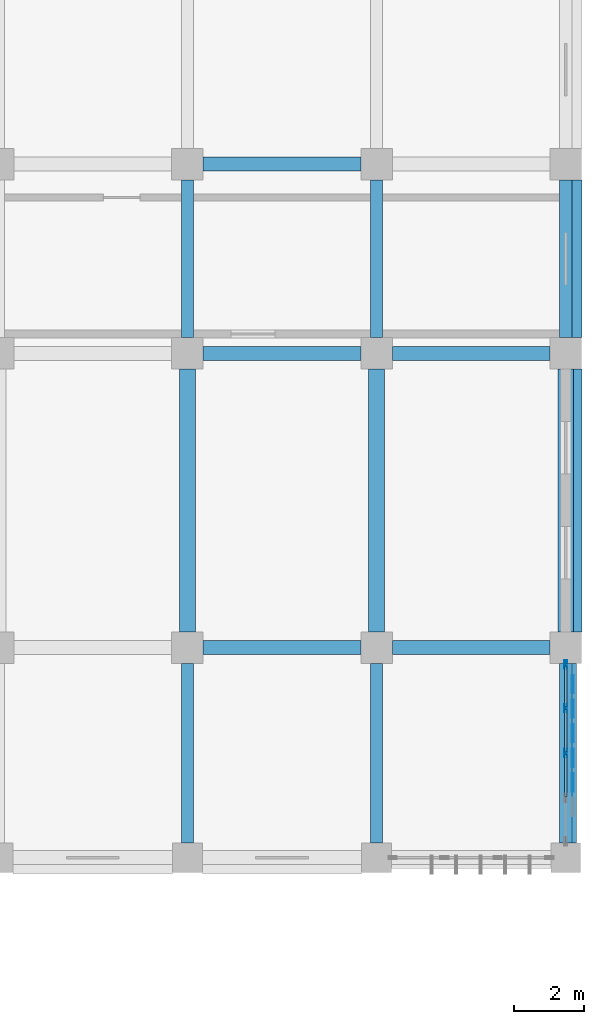
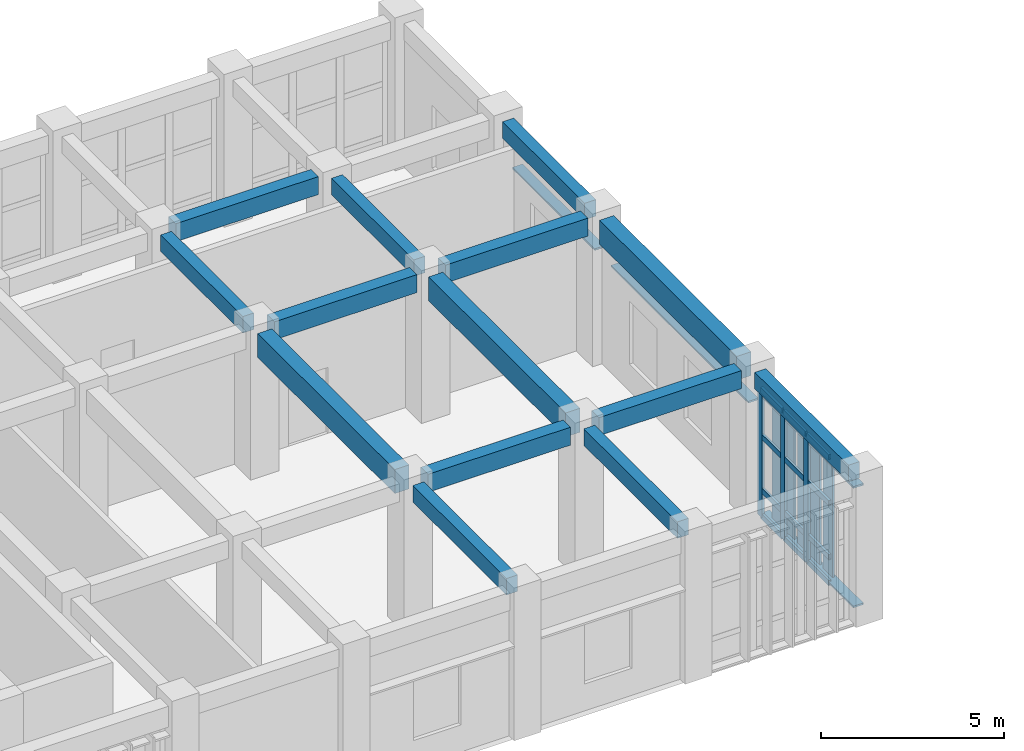
# One storey, part 65 of 106: 24 members, 14 beams, 1 element without a shape of its own.
"""IFC4 building model written with IfcOpenShell, lengths in metres."""

from ifc_helpers import new_model, si_unit, direction, frame, origin, origin_2d, place, context, subcontext, project, spatial, rectangle, hollow_rectangle, extrude, material, layer, layer_set, material_profile, profile_set, type_object, element, aggregate, save


model = new_model("IFC4")

# Units and contexts
model_context = context("Model", 3, precision=1e-05, world=origin(), true_north=direction((0.0, 1.0)))
body_context = subcontext(model_context, "Body", "Model", "MODEL_VIEW")
ifc_project = project(units=[si_unit("LENGTHUNIT", "METRE"), si_unit("AREAUNIT", "SQUARE_METRE"), si_unit("VOLUMEUNIT", "CUBIC_METRE"), si_unit("PLANEANGLEUNIT", "RADIAN"), si_unit("MASSUNIT", "GRAM", prefix="KILO")], contexts=[model_context])

# Site, building, storey
site_placement = place(None, origin())
site = spatial("IfcSite", under=ifc_project, at=site_placement, CompositionType="ELEMENT")
building_placement = place(site_placement, origin())
building = spatial("IfcBuilding", under=site, at=building_placement, Name="Krzemoval Escarpment Law Courts", CompositionType="ELEMENT")
storey_placement = place(building_placement, frame((0.0, 0.0, 5.10009765625)))
storey = spatial("IfcBuildingStorey", under=building, at=storey_placement, Name="L01", CompositionType="ELEMENT", Elevation=5.10009765625)

# Beams
ifc_material_1 = material(Name="Concrete C40/50", Category="concrete")
ifc_material_profile_1 = material_profile(ifc_material_1, rectangle(XDim=0.35009765625, YDim=0.550048828125, at=origin_2d()), Name="RCB 350x550")
ifc_profile_set_1 = profile_set([ifc_material_profile_1], Name="Concrete C40/50")
beam_type_1 = type_object("IfcBeamType", Name="BM-RC-350x550", PredefinedType="BEAM", material=ifc_profile_set_1)
beam_1_placement = place(storey_placement, frame((162.0, 94.02490234375, 4.544921875), z_axis=(0.0, 1.0, 0.0), x_axis=(-1.0, 0.0, 0.0)))
element("IfcBeam", 1, at=beam_1_placement, inside=storey, type_object=beam_type_1, Name="Beam FG-L01-1576", PredefinedType="BEAM", context=body_context, shape_type="SweptSolid", body=[
    extrude(rectangle(XDim=0.35009765625, YDim=0.550048828125, at=origin_2d()), origin(), (0.0, 0.0, 1.0), 5.125),
])
beam_2_placement = place(storey_placement, frame((162.0, 108.449951171875, 4.544921875), z_axis=(0.0, 1.0, 0.0), x_axis=(-1.0, 0.0, 0.0)))
element("IfcBeam", 2, at=beam_2_placement, inside=storey, type_object=beam_type_1, Name="Beam FG-L01-1578", PredefinedType="BEAM", context=body_context, shape_type="SweptSolid", body=[
    extrude(rectangle(XDim=0.35009765625, YDim=0.550048828125, at=origin_2d()), origin(), (0.0, 0.0, 1.0), 4.5),
])
beam_3_placement = place(storey_placement, frame((167.39990234375, 94.02490234375, 4.544921875), z_axis=(0.0, 1.0, 0.0), x_axis=(-1.0, 0.0, 0.0)))
element("IfcBeam", 3, at=beam_3_placement, inside=storey, type_object=beam_type_1, Name="Beam FG-L01-1584", PredefinedType="BEAM", context=body_context, shape_type="SweptSolid", body=[
    extrude(rectangle(XDim=0.35009765625, YDim=0.550048828125, at=origin_2d()), origin(), (0.0, 0.0, 1.0), 5.125),
])
beam_4_placement = place(storey_placement, frame((167.39990234375, 108.449951171875, 4.544921875), z_axis=(0.0, 1.0, 0.0), x_axis=(-1.0, 0.0, 0.0)))
element("IfcBeam", 4, at=beam_4_placement, inside=storey, type_object=beam_type_1, Name="Beam FG-L01-1586", PredefinedType="BEAM", context=body_context, shape_type="SweptSolid", body=[
    extrude(rectangle(XDim=0.35009765625, YDim=0.550048828125, at=origin_2d()), origin(), (0.0, 0.0, 1.0), 4.5),
])
beam_5_placement = place(storey_placement, frame((172.800048828125, 94.02490234375, 4.544921875), z_axis=(0.0, 1.0, 0.0), x_axis=(-1.0, 0.0, 0.0)))
element("IfcBeam", 5, at=beam_5_placement, inside=storey, type_object=beam_type_1, Name="Beam FG-L01-1592", PredefinedType="BEAM", context=body_context, shape_type="SweptSolid", body=[
    extrude(rectangle(XDim=0.35009765625, YDim=0.550048828125, at=origin_2d()), origin(), (0.0, 0.0, 1.0), 5.125),
])
beam_6_placement = place(storey_placement, frame((172.800048828125, 108.449951171875, 4.544921875), z_axis=(0.0, 1.0, 0.0), x_axis=(-1.0, 0.0, 0.0)))
element("IfcBeam", 6, at=beam_6_placement, inside=storey, type_object=beam_type_1, Name="Beam FG-L01-1594", PredefinedType="BEAM", context=body_context, shape_type="SweptSolid", body=[
    extrude(rectangle(XDim=0.35009765625, YDim=0.550048828125, at=origin_2d()), origin(), (0.0, 0.0, 1.0), 4.5),
])
ifc_material_2 = material(Name="Concrete C40/50", Category="concrete")
ifc_material_profile_2 = material_profile(ifc_material_2, rectangle(XDim=0.39990234375, YDim=0.60009765625, at=origin_2d()), Name="RCB 400x600")
ifc_profile_set_2 = profile_set([ifc_material_profile_2], Name="Concrete C40/50")
beam_type_2 = type_object("IfcBeamType", Name="BM-RC-400x600", PredefinedType="BEAM", material=ifc_profile_set_2)
for number, where, z_axis, x_axis, name in (
    (7, (162.449951171875, 99.60009765625, 4.52001953125), (1.0, 0.0, 0.0), (0.0, 1.0, 0.0), "Beam FG-L01-1316"),
    (8, (167.85009765625, 99.60009765625, 4.52001953125), (1.0, 0.0, 0.0), (0.0, 1.0, 0.0), "Beam FG-L01-1317"),
    (9, (162.449951171875, 108.0, 4.52001953125), (1.0, 0.0, 0.0), (0.0, 1.0, 0.0), "Beam FG-L01-1335"),
    (10, (167.85009765625, 108.0, 4.52001953125), (1.0, 0.0, 0.0), (0.0, 1.0, 0.0), "Beam FG-L01-1336"),
    (11, (162.449951171875, 113.39990234375, 4.52001953125), (1.0, 0.0, 0.0), (0.0, 1.0, 0.0), "Beam FG-L01-1357"),
):
    element("IfcBeam", number, at=place(storey_placement, frame(where, z_axis=z_axis, x_axis=x_axis)), inside=storey, type_object=beam_type_2, Name=name, PredefinedType="BEAM", context=body_context, shape_type="SweptSolid", body=[
        extrude(rectangle(XDim=0.39990234375, YDim=0.60009765625, at=origin_2d()), origin(), (0.0, 0.0, 1.0), 4.5),
    ])
ifc_material_3 = material(Name="Concrete C40/50", Category="concrete")
ifc_material_profile_3 = material_profile(ifc_material_3, rectangle(XDim=0.449951171875, YDim=0.800048828125, at=origin_2d()), Name="RCB 450x800")
ifc_profile_set_3 = profile_set([ifc_material_profile_3], Name="Concrete C40/50")
beam_type_3 = type_object("IfcBeamType", Name="BM-RC-450x800", PredefinedType="BEAM", material=ifc_profile_set_3)
for number, where, z_axis, x_axis, name in (
    (12, (162.0, 100.050048828125, 4.419921875), (0.0, 1.0, 0.0), (-1.0, 0.0, 0.0), "Beam FG-L01-1577"),
    (13, (167.39990234375, 100.050048828125, 4.419921875), (0.0, 1.0, 0.0), (-1.0, 0.0, 0.0), "Beam FG-L01-1585"),
    (14, (172.800048828125, 100.050048828125, 4.419921875), (0.0, 1.0, 0.0), (-1.0, 0.0, 0.0), "Beam FG-L01-1593"),
):
    element("IfcBeam", number, at=place(storey_placement, frame(where, z_axis=z_axis, x_axis=x_axis)), inside=storey, type_object=beam_type_3, Name=name, PredefinedType="BEAM", context=body_context, shape_type="SweptSolid", body=[
        extrude(rectangle(XDim=0.449951171875, YDim=0.800048828125, at=origin_2d()), origin(), (0.0, 0.0, 1.0), 7.5),
    ])

# Curtain wall, members
ifc_material_4 = material(Name="Aluminium 6063-T6", Category="aluminium")
ifc_layer = layer(ifc_material_4, 0.239990234375)
ifc_layer_set = layer_set([ifc_layer], Name="Aluminium 6063-T6")
curtain_wall_type = type_object("IfcCurtainWallType", Name="CW-CHMB-4800", PredefinedType="USERDEFINED", material=ifc_layer_set)
curtain_wall_placement = place(storey_placement, origin())
curtain_wall = element("IfcCurtainWall", 15, at=curtain_wall_placement, inside=storey, type_object=curtain_wall_type, Name="Unitised Curtain Wall FCW-L01-038", ObjectType="UNITISED_CURTAIN_WALL", PredefinedType="USERDEFINED")
ifc_material_5 = material(Name="Aluminium 6063-T6", Category="aluminium")
ifc_material_profile_4 = material_profile(ifc_material_5, hollow_rectangle(XDim=0.074951171875, YDim=0.239990234375, WallThickness=0.0048828125, at=origin_2d()), Name="ALU M75x240")
ifc_profile_set_4 = profile_set([ifc_material_profile_4], Name="Aluminium 6063-T6")
member_type_1 = type_object("IfcMemberType", Name="CWM-75x240", PredefinedType="MULLION", material=ifc_profile_set_4)
member_1_placement = place(storey_placement, frame((172.800048828125, 99.112548828125, 0.0), z_axis=(0.0, 0.0, 1.0), x_axis=(1.0, 0.0, 0.0)))
member_1 = element("IfcMember", 16, at=member_1_placement, type_object=member_type_1, Name="FCW-L01-038 mullion 1", PredefinedType="MULLION", context=body_context, shape_type="SweptSolid", body=[
    extrude(hollow_rectangle(XDim=0.074951171875, YDim=0.239990234375, WallThickness=0.0048828125, at=origin_2d()), origin(), (0.0, 0.0, 1.0), 4.27001953125),
])
member_2_placement = place(storey_placement, frame((172.800048828125, 97.86865234375, 0.0), z_axis=(0.0, 0.0, 1.0), x_axis=(1.0, 0.0, 0.0)))
member_2 = element("IfcMember", 17, at=member_2_placement, type_object=member_type_1, Name="FCW-L01-038 mullion 2", PredefinedType="MULLION", context=body_context, shape_type="SweptSolid", body=[
    extrude(hollow_rectangle(XDim=0.074951171875, YDim=0.239990234375, WallThickness=0.0048828125, at=origin_2d()), origin(), (0.0, 0.0, 1.0), 4.27001953125),
])
member_3_placement = place(storey_placement, frame((172.800048828125, 96.58740234375, 0.0), z_axis=(0.0, 0.0, 1.0), x_axis=(1.0, 0.0, 0.0)))
member_3 = element("IfcMember", 18, at=member_3_placement, type_object=member_type_1, Name="FCW-L01-038 mullion 3", PredefinedType="MULLION", context=body_context, shape_type="SweptSolid", body=[
    extrude(hollow_rectangle(XDim=0.074951171875, YDim=0.239990234375, WallThickness=0.0048828125, at=origin_2d()), origin(), (0.0, 0.0, 1.0), 4.27001953125),
])
ifc_material_6 = material(Name="Aluminium 6063-T6", Category="aluminium")
ifc_material_profile_5 = material_profile(ifc_material_6, hollow_rectangle(XDim=0.074951171875, YDim=0.179931640625, WallThickness=0.0048828125, at=origin_2d()), Name="ALU T75x180")
ifc_profile_set_5 = profile_set([ifc_material_profile_5], Name="Aluminium 6063-T6")
member_type_2 = type_object("IfcMemberType", Name="CWT-75x180", PredefinedType="USERDEFINED", material=ifc_profile_set_5)
member_4_placement = place(storey_placement, frame((172.800048828125, 99.074951171875, 0.037353515625), z_axis=(0.0, -1.0, 0.0), x_axis=(1.0, 0.0, 0.0)))
member_4 = element("IfcMember", 19, at=member_4_placement, type_object=member_type_2, Name="FCW-L01-038 transom 1.1", ObjectType="TRANSOM", PredefinedType="USERDEFINED", context=body_context, shape_type="SweptSolid", body=[
    extrude(hollow_rectangle(XDim=0.074951171875, YDim=0.179931640625, WallThickness=0.0048828125, at=origin_2d()), origin(), (0.0, 0.0, 1.0), 1.168701171875),
])
member_5_placement = place(storey_placement, frame((172.800048828125, 99.074951171875, 0.89990234375), z_axis=(0.0, -1.0, 0.0), x_axis=(1.0, 0.0, 0.0)))
member_5 = element("IfcMember", 20, at=member_5_placement, type_object=member_type_2, Name="FCW-L01-038 transom 1.2", ObjectType="TRANSOM", PredefinedType="USERDEFINED", context=body_context, shape_type="SweptSolid", body=[
    extrude(hollow_rectangle(XDim=0.074951171875, YDim=0.179931640625, WallThickness=0.0048828125, at=origin_2d()), origin(), (0.0, 0.0, 1.0), 1.168701171875),
])
member_6_placement = place(storey_placement, frame((172.800048828125, 99.074951171875, 2.699951171875), z_axis=(0.0, -1.0, 0.0), x_axis=(1.0, 0.0, 0.0)))
member_6 = element("IfcMember", 21, at=member_6_placement, type_object=member_type_2, Name="FCW-L01-038 transom 1.3", ObjectType="TRANSOM", PredefinedType="USERDEFINED", context=body_context, shape_type="SweptSolid", body=[
    extrude(hollow_rectangle(XDim=0.074951171875, YDim=0.179931640625, WallThickness=0.0048828125, at=origin_2d()), origin(), (0.0, 0.0, 1.0), 1.168701171875),
])
member_7_placement = place(storey_placement, frame((172.800048828125, 99.074951171875, 4.232421875), z_axis=(0.0, -1.0, 0.0), x_axis=(1.0, 0.0, 0.0)))
member_7 = element("IfcMember", 22, at=member_7_placement, type_object=member_type_2, Name="FCW-L01-038 transom 1.4", ObjectType="TRANSOM", PredefinedType="USERDEFINED", context=body_context, shape_type="SweptSolid", body=[
    extrude(hollow_rectangle(XDim=0.074951171875, YDim=0.179931640625, WallThickness=0.0048828125, at=origin_2d()), origin(), (0.0, 0.0, 1.0), 1.168701171875),
])
member_8_placement = place(storey_placement, frame((172.800048828125, 97.831298828125, 0.037353515625), z_axis=(0.0, -1.0, 0.0), x_axis=(1.0, 0.0, 0.0)))
member_8 = element("IfcMember", 23, at=member_8_placement, type_object=member_type_2, Name="FCW-L01-038 transom 2.1", ObjectType="TRANSOM", PredefinedType="USERDEFINED", context=body_context, shape_type="SweptSolid", body=[
    extrude(hollow_rectangle(XDim=0.074951171875, YDim=0.179931640625, WallThickness=0.0048828125, at=origin_2d()), origin(), (0.0, 0.0, 1.0), 1.206298828125),
])
member_9_placement = place(storey_placement, frame((172.800048828125, 97.831298828125, 0.89990234375), z_axis=(0.0, -1.0, 0.0), x_axis=(1.0, 0.0, 0.0)))
member_9 = element("IfcMember", 24, at=member_9_placement, type_object=member_type_2, Name="FCW-L01-038 transom 2.2", ObjectType="TRANSOM", PredefinedType="USERDEFINED", context=body_context, shape_type="SweptSolid", body=[
    extrude(hollow_rectangle(XDim=0.074951171875, YDim=0.179931640625, WallThickness=0.0048828125, at=origin_2d()), origin(), (0.0, 0.0, 1.0), 1.206298828125),
])
member_10_placement = place(storey_placement, frame((172.800048828125, 97.831298828125, 2.699951171875), z_axis=(0.0, -1.0, 0.0), x_axis=(1.0, 0.0, 0.0)))
member_10 = element("IfcMember", 25, at=member_10_placement, type_object=member_type_2, Name="FCW-L01-038 transom 2.3", ObjectType="TRANSOM", PredefinedType="USERDEFINED", context=body_context, shape_type="SweptSolid", body=[
    extrude(hollow_rectangle(XDim=0.074951171875, YDim=0.179931640625, WallThickness=0.0048828125, at=origin_2d()), origin(), (0.0, 0.0, 1.0), 1.206298828125),
])
member_11_placement = place(storey_placement, frame((172.800048828125, 97.831298828125, 4.232421875), z_axis=(0.0, -1.0, 0.0), x_axis=(1.0, 0.0, 0.0)))
member_11 = element("IfcMember", 26, at=member_11_placement, type_object=member_type_2, Name="FCW-L01-038 transom 2.4", ObjectType="TRANSOM", PredefinedType="USERDEFINED", context=body_context, shape_type="SweptSolid", body=[
    extrude(hollow_rectangle(XDim=0.074951171875, YDim=0.179931640625, WallThickness=0.0048828125, at=origin_2d()), origin(), (0.0, 0.0, 1.0), 1.206298828125),
])
member_12_placement = place(storey_placement, frame((172.800048828125, 96.550048828125, 0.037353515625), z_axis=(0.0, -1.0, 0.0), x_axis=(1.0, 0.0, 0.0)))
member_12 = element("IfcMember", 27, at=member_12_placement, type_object=member_type_2, Name="FCW-L01-038 transom 3.1", ObjectType="TRANSOM", PredefinedType="USERDEFINED", context=body_context, shape_type="SweptSolid", body=[
    extrude(hollow_rectangle(XDim=0.074951171875, YDim=0.179931640625, WallThickness=0.0048828125, at=origin_2d()), origin(), (0.0, 0.0, 1.0), 1.206298828125),
])
member_13_placement = place(storey_placement, frame((172.800048828125, 96.550048828125, 0.89990234375), z_axis=(0.0, -1.0, 0.0), x_axis=(1.0, 0.0, 0.0)))
member_13 = element("IfcMember", 28, at=member_13_placement, type_object=member_type_2, Name="FCW-L01-038 transom 3.2", ObjectType="TRANSOM", PredefinedType="USERDEFINED", context=body_context, shape_type="SweptSolid", body=[
    extrude(hollow_rectangle(XDim=0.074951171875, YDim=0.179931640625, WallThickness=0.0048828125, at=origin_2d()), origin(), (0.0, 0.0, 1.0), 1.206298828125),
])
member_14_placement = place(storey_placement, frame((172.800048828125, 96.550048828125, 2.699951171875), z_axis=(0.0, -1.0, 0.0), x_axis=(1.0, 0.0, 0.0)))
member_14 = element("IfcMember", 29, at=member_14_placement, type_object=member_type_2, Name="FCW-L01-038 transom 3.3", ObjectType="TRANSOM", PredefinedType="USERDEFINED", context=body_context, shape_type="SweptSolid", body=[
    extrude(hollow_rectangle(XDim=0.074951171875, YDim=0.179931640625, WallThickness=0.0048828125, at=origin_2d()), origin(), (0.0, 0.0, 1.0), 1.206298828125),
])
member_15_placement = place(storey_placement, frame((172.800048828125, 96.550048828125, 4.232421875), z_axis=(0.0, -1.0, 0.0), x_axis=(1.0, 0.0, 0.0)))
member_15 = element("IfcMember", 30, at=member_15_placement, type_object=member_type_2, Name="FCW-L01-038 transom 3.4", ObjectType="TRANSOM", PredefinedType="USERDEFINED", context=body_context, shape_type="SweptSolid", body=[
    extrude(hollow_rectangle(XDim=0.074951171875, YDim=0.179931640625, WallThickness=0.0048828125, at=origin_2d()), origin(), (0.0, 0.0, 1.0), 1.206298828125),
])
aggregate(curtain_wall, [member_1, member_2, member_3, member_4, member_5, member_6, member_7, member_8, member_9, member_10, member_11, member_12, member_13, member_14, member_15])

# Members
ifc_material_7 = material(Name="Anodised Aluminium Alloy 6063-T6", Category="aluminium")
ifc_material_profile_6 = material_profile(ifc_material_7, hollow_rectangle(XDim=0.06005859375, YDim=0.320068359375, WallThickness=0.00390625, at=origin_2d()), Name="ALU LVR 60x320")
ifc_profile_set_6 = profile_set([ifc_material_profile_6], Name="Anodised Aluminium Alloy 6063-T6")
member_type_3 = type_object("IfcMemberType", Name="LVR-ALU-320", PredefinedType="USERDEFINED", material=ifc_profile_set_6)
member_16_placement = place(storey_placement, frame((173.10009765625, 112.949951171875, 3.159912109375), z_axis=(0.0, -1.0, 0.0), x_axis=(0.0, 0.0, 1.0)))
element("IfcMember", 31, at=member_16_placement, inside=storey, type_object=member_type_3, Name="Window Sunshade Louvre FLV-L01-0095", ObjectType="SUNSHADE_LOUVRE", PredefinedType="USERDEFINED", context=body_context, shape_type="SweptSolid", body=[
    extrude(hollow_rectangle(XDim=0.06005859375, YDim=0.320068359375, WallThickness=0.00390625, at=origin_2d()), origin(), (0.0, 0.0, 1.0), 4.5),
])
member_17_placement = place(storey_placement, frame((173.10009765625, 107.550048828125, 3.159912109375), z_axis=(0.0, -1.0, 0.0), x_axis=(0.0, 0.0, 1.0)))
element("IfcMember", 32, at=member_17_placement, inside=storey, type_object=member_type_3, Name="Window Sunshade Louvre FLV-L01-0096", ObjectType="SUNSHADE_LOUVRE", PredefinedType="USERDEFINED", context=body_context, shape_type="SweptSolid", body=[
    extrude(hollow_rectangle(XDim=0.06005859375, YDim=0.320068359375, WallThickness=0.00390625, at=origin_2d()), origin(), (0.0, 0.0, 1.0), 7.5),
])
for number, where, z_axis, x_axis, name in (
    (33, (172.93994140625, 99.14990234375, 0.02978515625), (0.0, -1.0, 0.0), (0.0, 0.0, 1.0), "Sunshade Support Rail FSR-L01-0097"),
    (34, (172.93994140625, 99.14990234375, 4.02001953125), (0.0, -1.0, 0.0), (0.0, 0.0, 1.0), "Sunshade Support Rail FSR-L01-0098"),
):
    element("IfcMember", number, at=place(storey_placement, frame(where, z_axis=z_axis, x_axis=x_axis)), inside=storey, type_object=member_type_3, Name=name, ObjectType="SUNSHADE_LOUVRE", PredefinedType="USERDEFINED", context=body_context, shape_type="SweptSolid", body=[
        extrude(hollow_rectangle(XDim=0.06005859375, YDim=0.320068359375, WallThickness=0.00390625, at=origin_2d()), origin(), (0.0, 0.0, 1.0), 5.125),
    ])
ifc_material_8 = material(Name="Anodised Aluminium Alloy 6063-T6", Category="aluminium")
ifc_material_profile_7 = material_profile(ifc_material_8, hollow_rectangle(XDim=0.06494140625, YDim=0.52001953125, WallThickness=0.00439453125, at=origin_2d()), Name="ALU LVR 65x520")
ifc_profile_set_7 = profile_set([ifc_material_profile_7], Name="Anodised Aluminium Alloy 6063-T6")
member_type_4 = type_object("IfcMemberType", Name="LVR-ALU-520", PredefinedType="USERDEFINED", material=ifc_profile_set_7)
for number, where, z_axis, x_axis, name in (
    (35, (173.0, 98.550048828125, 0.059814453125), (0.0, 0.0, 1.0), (1.0, 0.0, 0.0), "Sunshade Louvre Fin FLV-L01-0099"),
    (36, (173.0, 97.85009765625, 0.059814453125), (0.0, 0.0, 1.0), (1.0, 0.0, 0.0), "Sunshade Louvre Fin FLV-L01-0100"),
    (37, (173.0, 97.14990234375, 0.059814453125), (0.0, 0.0, 1.0), (1.0, 0.0, 0.0), "Sunshade Louvre Fin FLV-L01-0101"),
    (38, (173.0, 96.449951171875, 0.059814453125), (0.0, 0.0, 1.0), (1.0, 0.0, 0.0), "Sunshade Louvre Fin FLV-L01-0102"),
    (39, (173.0, 95.75, 0.059814453125), (0.0, 0.0, 1.0), (1.0, 0.0, 0.0), "Sunshade Louvre Fin FLV-L01-0103"),
):
    element("IfcMember", number, at=place(storey_placement, frame(where, z_axis=z_axis, x_axis=x_axis)), inside=storey, type_object=member_type_4, Name=name, ObjectType="SUNSHADE_LOUVRE", PredefinedType="USERDEFINED", context=body_context, shape_type="SweptSolid", body=[
        extrude(hollow_rectangle(XDim=0.06494140625, YDim=0.52001953125, WallThickness=0.00439453125, at=origin_2d()), origin(), (0.0, 0.0, 1.0), 4.210205078125),
    ])

save(model, "model.ifc")
